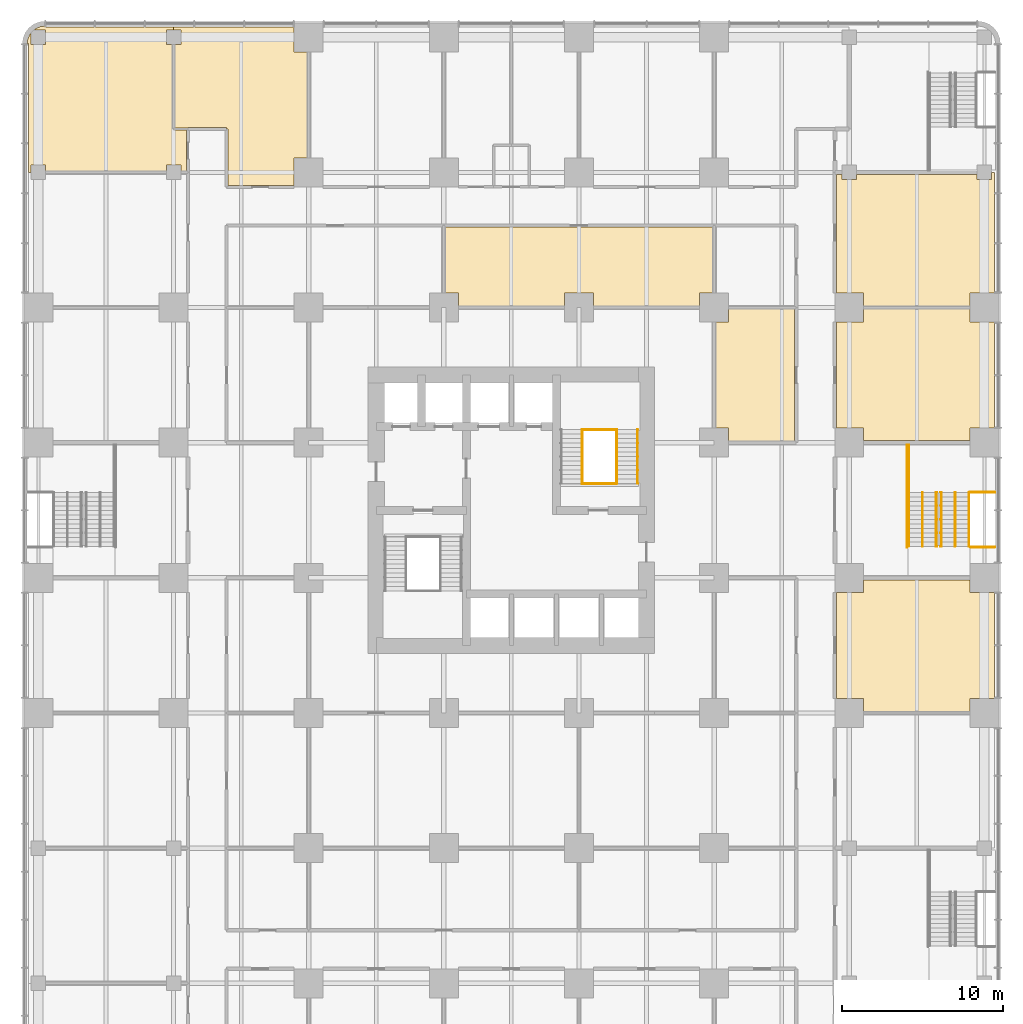
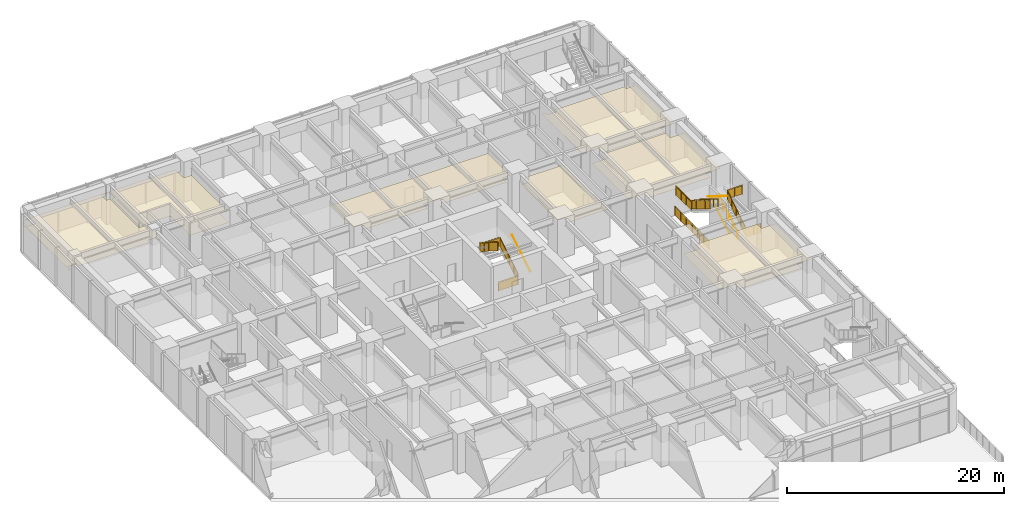
# One storey, part 19 of 20: 15 railings, 7 coverings.
"""IFC4 building model written with IfcOpenShell, lengths in metres."""

import ifcopenshell
import ifcopenshell.guid

model = None  # the IFC model being written
_history = None  # IfcOwnerHistory: only IFC2X3 demands one
_inside = {}  # id of a spatial element -> (the spatial element, [elements in it])
_under = {}  # id of a project, library or spatial element -> (it, [spatial elements below it])
_declared = {}  # id of a project -> (the project, [libraries it declares])
_typed = {}  # id of a type object -> (the type object, [elements of that type])
_made_of = {}  # id of a material, layer set ... -> (it, [elements and type objects made of it])


def new_model(schema):
    """Start an empty IFC model of exactly this schema.

    Asked for "IFC4X3", IfcOpenShell would pick the latest addendum, in which some entities
    have other attributes; the version numbers below select the first issue.
    IFC2X3 requires an IfcOwnerHistory on every rooted entity: one is made here for all.
    """
    global model, _history
    if schema == "IFC4X3":
        model = ifcopenshell.file(schema_version=(4, 3, 0, 0))
    else:
        model = ifcopenshell.file(schema=schema)
    _inside.clear()
    _under.clear()
    _declared.clear()
    _typed.clear()
    _made_of.clear()
    _history = None
    if model.schema == "IFC2X3":
        org = make("IfcOrganization", Name="unknown")
        user = make(
            "IfcPersonAndOrganization",
            ThePerson=make("IfcPerson", FamilyName="unknown"),
            TheOrganization=org,
        )
        app = make(
            "IfcApplication",
            ApplicationDeveloper=org,
            Version="unknown",
            ApplicationFullName="unknown",
            ApplicationIdentifier="unknown",
        )
        _history = make(
            "IfcOwnerHistory",
            OwningUser=user,
            OwningApplication=app,
            ChangeAction="ADDED",
            CreationDate=0,
        )
    return model


def make(cls, **values):
    """One entity of the class cls with the attributes given. An attribute that is None is left unset."""
    return model.create_entity(
        cls, **{name: value for name, value in values.items() if value is not None}
    )


def rooted(cls, **values):
    """An entity with a GlobalId (a new one), such as an element, a storey or a relation."""
    return make(cls, GlobalId=ifcopenshell.guid.new(), OwnerHistory=_history, **values)


def si_unit(unit_type, name, prefix=None):
    """IfcSIUnit, for example si_unit("LENGTHUNIT", "METRE", prefix="MILLI")."""
    return make("IfcSIUnit", UnitType=unit_type, Prefix=prefix, Name=name)


def assignment(units):
    """IfcUnitAssignment: the units of a project."""
    return None if units is None else make("IfcUnitAssignment", Units=units)


def point(xyz):
    """IfcCartesianPoint."""
    return None if xyz is None else make("IfcCartesianPoint", Coordinates=xyz)


def direction(xyz):
    """IfcDirection."""
    return None if xyz is None else make("IfcDirection", DirectionRatios=xyz)


def frame(location, z_axis=None, x_axis=None):
    """IfcAxis2Placement3D, a coordinate frame: its origin and axes. An axis left out is left unset."""
    return make(
        "IfcAxis2Placement3D",
        Location=point(location),
        Axis=direction(z_axis),
        RefDirection=direction(x_axis),
    )


def frame_2d(location, x_axis=None):
    """IfcAxis2Placement2D, a coordinate frame in the plane: its origin and x axis."""
    return make(
        "IfcAxis2Placement2D", Location=point(location), RefDirection=direction(x_axis)
    )


def origin():
    """The frame at (0, 0, 0) with its axes left unset."""
    return frame((0.0, 0.0, 0.0))


def origin_2d():
    """The frame at (0, 0) in the plane with its x axis left unset."""
    return frame_2d((0.0, 0.0))


def place(relative_to, where):
    """IfcLocalPlacement: puts the frame where relative to a parent placement (None: the world)."""
    return make(
        "IfcLocalPlacement", PlacementRelTo=relative_to, RelativePlacement=where
    )


def context(
    kind, dimensions, precision=None, world=None, true_north=None, identifier=None
):
    """IfcGeometricRepresentationContext, for example the 3D "Model" context."""
    return make(
        "IfcGeometricRepresentationContext",
        ContextIdentifier=identifier,
        ContextType=kind,
        CoordinateSpaceDimension=dimensions,
        Precision=precision,
        WorldCoordinateSystem=world,
        TrueNorth=true_north,
    )


def subcontext(parent, identifier, kind, view, scale=None):
    """IfcGeometricRepresentationSubContext, for example "Body" below "Model"."""
    return make(
        "IfcGeometricRepresentationSubContext",
        ContextIdentifier=identifier,
        ContextType=kind,
        ParentContext=parent,
        TargetScale=scale,
        TargetView=view,
    )


def project(units=None, contexts=None):
    """IfcProject with its units and contexts."""
    return rooted(
        "IfcProject",
        Name="project",
        RepresentationContexts=contexts,
        UnitsInContext=assignment(units),
    )


def spatial(cls, under=None, at=None, **own):
    """A site, building, storey or space (cls), placed at a placement, below another one or the project."""
    s = rooted(cls, ObjectPlacement=at, **own)
    if under is not None:
        _under.setdefault(under.id(), (under, []))[1].append(s)
    return s


def polyline(points):
    """IfcPolyline through the points."""
    return make("IfcPolyline", Points=[point(p) for p in points])


def profile(cls, at=None, kind="AREA", **sizes):
    """A parametric profile (cls). Its sizes go by their IFC names, for example OverallWidth=200.0."""
    return make(cls, ProfileType=kind, Position=at, **sizes)


def circle(**sizes):
    """IfcCircleProfileDef."""
    return profile("IfcCircleProfileDef", **sizes)


def outline(outer, holes=None, kind="AREA"):
    """IfcArbitraryClosedProfileDef: a profile drawn as a closed curve; with holes, ...WithVoids."""
    if holes is None:
        return make("IfcArbitraryClosedProfileDef", ProfileType=kind, OuterCurve=outer)
    return make(
        "IfcArbitraryProfileDefWithVoids",
        ProfileType=kind,
        OuterCurve=outer,
        InnerCurves=holes,
    )


def extrude(swept, where, along, depth):
    """IfcExtrudedAreaSolid: the profile swept, set in the frame where, extruded along a direction by depth."""
    return make(
        "IfcExtrudedAreaSolid",
        SweptArea=swept,
        Position=where,
        ExtrudedDirection=direction(along),
        Depth=depth,
    )


def shape(context_of_items, identifier, shape_type, items):
    """IfcShapeRepresentation: the items that make up one representation, for example the "Body"."""
    return make(
        "IfcShapeRepresentation",
        ContextOfItems=context_of_items,
        RepresentationIdentifier=identifier,
        RepresentationType=shape_type,
        Items=items,
    )


def material(Name=None, Category=None):
    """IfcMaterial."""
    return make("IfcMaterial", Name=Name, Category=Category)


def layer(
    of_material, thickness, ventilated=None, Name=None, Category=None, Priority=None
):
    """IfcMaterialLayer: one layer of a wall or slab, of a material (None: an air gap)."""
    return make(
        "IfcMaterialLayer",
        Material=of_material,
        LayerThickness=thickness,
        IsVentilated=ventilated,
        Name=Name,
        Category=Category,
        Priority=Priority,
    )


def layer_set(layers, Name=None):
    """IfcMaterialLayerSet."""
    return make("IfcMaterialLayerSet", MaterialLayers=layers, LayerSetName=Name)


def made_of(thing, what):
    """Note that an element or type object is made of a material, layer set ...; save() writes the relation."""
    if what is not None:
        _made_of.setdefault(what.id(), (what, []))[1].append(thing)
    return thing


def type_object(cls, material=None, **own):
    """A type object (cls), such as IfcWallType, which elements share."""
    return made_of(rooted(cls, **own), material)


def element(
    cls,
    number,
    at=None,
    inside=None,
    cuts=None,
    type_object=None,
    material=None,
    context=None,
    identifier="Body",
    shape_type=None,
    held_by="IfcProductDefinitionShape",
    body=None,
    shapes=None,
    **own,
):
    """One element of the class cls, such as IfcWall. Its Tag is "e" and its number.

    at: its placement. inside: the storey or other place that contains it. cuts: it is an
    opening in that element (IfcRelVoidsElement). A single representation is given by context,
    identifier, shape_type and body (its items); several are given by shapes. held_by: the class
    of the entity that holds the representations. save() writes the other relations.
    """
    e = rooted(cls, Tag="e%d" % number, ObjectPlacement=at, **own)
    if body is not None:
        shapes = [shape(context, identifier, shape_type, body)]
    if shapes is not None:
        e.Representation = make(held_by, Representations=shapes)
    if inside is not None:
        _inside.setdefault(inside.id(), (inside, []))[1].append(e)
    if cuts is not None:
        rooted(
            "IfcRelVoidsElement", RelatingBuildingElement=cuts, RelatedOpeningElement=e
        )
    if type_object is not None:
        _typed.setdefault(type_object.id(), (type_object, []))[1].append(e)
    return made_of(e, material)


def aggregate(whole, parts):
    """IfcRelAggregates: a whole, such as a stair, and the parts it consists of."""
    return rooted("IfcRelAggregates", RelatingObject=whole, RelatedObjects=parts)


def save(model, path):
    """Write the relations noted so far, then the file.

    IfcRelAggregates (storeys below a building ...), IfcRelContainedInSpatialStructure (elements
    in a storey), IfcRelDefinesByType, IfcRelAssociatesMaterial and IfcRelDeclares: one each for
    every whole, place, type object, material and project.
    """
    for whole, parts in _under.values():
        aggregate(whole, parts)
    for where, things in _inside.values():
        rooted(
            "IfcRelContainedInSpatialStructure",
            RelatedElements=things,
            RelatingStructure=where,
        )
    for kind, things in _typed.values():
        rooted("IfcRelDefinesByType", RelatedObjects=things, RelatingType=kind)
    for what, things in _made_of.values():
        rooted("IfcRelAssociatesMaterial", RelatedObjects=things, RelatingMaterial=what)
    for by, libraries in _declared.values():
        rooted("IfcRelDeclares", RelatingContext=by, RelatedDefinitions=libraries)
    model.write(path)


model = new_model("IFC4")

# Units and contexts
model_context = context("Model", 3, precision=1e-05, world=origin(), true_north=direction((0.0, 1.0)))
body_context = subcontext(model_context, "Body", "Model", "MODEL_VIEW")
ifc_project = project(units=[si_unit("LENGTHUNIT", "METRE"), si_unit("AREAUNIT", "SQUARE_METRE"), si_unit("VOLUMEUNIT", "CUBIC_METRE"), si_unit("PLANEANGLEUNIT", "RADIAN"), si_unit("MASSUNIT", "GRAM", prefix="KILO")], contexts=[model_context])

# Site, building, storey
site_placement = place(None, origin())
site = spatial("IfcSite", under=ifc_project, at=site_placement, CompositionType="ELEMENT")
building_placement = place(site_placement, origin())
building = spatial("IfcBuilding", under=site, at=building_placement, Name="Torre Alcanfor", CompositionType="ELEMENT")
storey_placement = place(building_placement, frame((0.0, 0.0, 10.5)))
storey = spatial("IfcBuildingStorey", under=building, at=storey_placement, Name="L02", CompositionType="ELEMENT", Elevation=10.5)

# Coverings
ifc_material_1 = material(Name="Mineral fibre acoustic tile 20 mm, NRC 0.70, on exposed suspension grid", Category="mineral fibre")
ifc_layer = layer(ifc_material_1, 0.02001953125)
ifc_layer_set = layer_set([ifc_layer], Name="Acoustic suspended ceiling 600x600 mineral fibre tile")
covering_type = type_object("IfcCoveringType", Name="Acoustic suspended ceiling 600x600 mineral fibre tile", PredefinedType="CEILING", material=ifc_layer_set)
covering_1_placement = place(storey_placement, frame((0.0, 0.0, 2.75)))
element("IfcCovering", 1, at=covering_1_placement, inside=storey, type_object=covering_type, Name="Ceiling L02-13", PredefinedType="CEILING", context=body_context, shape_type="SweptSolid", body=[
    extrude(outline(polyline([(57.89990234375, 16.875), (57.89990234375, 17.699951171875), (59.425048828125, 17.699951171875), (59.425048828125, 24.300048828125), (57.89990234375, 24.300048828125), (57.89990234375, 25.074951171875), (51.300048828125, 25.074951171875), (51.300048828125, 24.300048828125), (49.60009765625, 24.300048828125), (49.60009765625, 17.699951171875), (51.300048828125, 17.699951171875), (51.300048828125, 16.875), (57.89990234375, 16.875)])), origin(), (0.0, 0.0, 1.0), 0.02001953125),
])
covering_2_placement = place(storey_placement, frame((0.0, 0.0, 2.75)))
element("IfcCovering", 2, at=covering_2_placement, inside=storey, type_object=covering_type, Name="Ceiling L02-15", PredefinedType="CEILING", context=body_context, shape_type="SweptSolid", body=[
    extrude(outline(polyline([(57.89990234375, 33.72509765625), (57.89990234375, 34.5), (59.425048828125, 34.5), (59.425048828125, 41.10009765625), (57.89990234375, 41.10009765625), (57.89990234375, 41.925048828125), (51.300048828125, 41.925048828125), (51.300048828125, 41.10009765625), (49.60009765625, 41.10009765625), (49.60009765625, 34.5), (51.300048828125, 34.5), (51.300048828125, 33.72509765625), (57.89990234375, 33.72509765625)])), origin(), (0.0, 0.0, 1.0), 0.02001953125),
])
covering_3_placement = place(storey_placement, frame((0.0, 0.0, 2.75)))
element("IfcCovering", 3, at=covering_3_placement, inside=storey, type_object=covering_type, Name="Ceiling L02-17", PredefinedType="CEILING", context=body_context, shape_type="SweptSolid", body=[
    extrude(outline(polyline([(57.89990234375, 42.074951171875), (57.89990234375, 42.89990234375), (59.425048828125, 42.89990234375), (59.425048828125, 50.39990234375), (59.25, 50.39990234375), (59.25, 49.949951171875), (58.35009765625, 49.949951171875), (58.35009765625, 50.27490234375), (50.85009765625, 50.27490234375), (50.85009765625, 49.949951171875), (49.949951171875, 49.949951171875), (49.949951171875, 50.27490234375), (49.60009765625, 50.27490234375), (49.60009765625, 42.89990234375), (51.300048828125, 42.89990234375), (51.300048828125, 42.074951171875), (57.89990234375, 42.074951171875)])), origin(), (0.0, 0.0, 1.0), 0.02001953125),
])
covering_4_placement = place(storey_placement, frame((0.0, 0.0, 2.75)))
element("IfcCovering", 4, at=covering_4_placement, inside=storey, type_object=covering_type, Name="Ceiling L02-20", PredefinedType="CEILING", context=body_context, shape_type="SweptSolid", body=[
    extrude(outline(polyline([(-0.449951171875, 59.079345703125), (-0.55029296875, 58.94873046875), (-0.659912109375, 58.68408203125), (-0.697509765625, 58.39990234375), (-0.625, 58.39990234375), (-0.625, 50.39990234375), (-0.449951171875, 50.39990234375), (-0.449951171875, 50.85009765625), (0.449951171875, 50.85009765625), (0.449951171875, 50.47509765625), (7.949951171875, 50.47509765625), (7.949951171875, 50.85009765625), (8.85009765625, 50.85009765625), (8.85009765625, 50.47509765625), (9.199951171875, 50.47509765625), (9.199951171875, 53.02490234375), (8.39990234375, 53.02490234375), (8.39990234375, 53.10009765625), (8.324951171875, 53.10009765625), (8.324951171875, 58.35009765625), (7.949951171875, 58.35009765625), (7.949951171875, 59.25), (8.39990234375, 59.25), (8.39990234375, 59.425048828125), (0.39990234375, 59.425048828125), (0.39990234375, 59.497314453125), (0.115966796875, 59.4599609375), (-0.148681640625, 59.350341796875), (-0.279296875, 59.25), (0.449951171875, 59.25), (0.449951171875, 58.35009765625), (-0.449951171875, 58.35009765625), (-0.449951171875, 59.079345703125)])), origin(), (0.0, 0.0, 1.0), 0.02001953125),
])
covering_5_placement = place(storey_placement, frame((0.0, 0.0, 2.75)))
element("IfcCovering", 5, at=covering_5_placement, inside=storey, type_object=covering_type, Name="Ceiling L02-22", PredefinedType="CEILING", context=body_context, shape_type="SweptSolid", body=[
    extrude(outline(polyline([(8.39990234375, 59.25), (8.85009765625, 59.25), (8.85009765625, 58.35009765625), (8.47509765625, 58.35009765625), (8.47509765625, 53.175048828125), (9.300048828125, 53.175048828125), (9.300048828125, 53.199951171875), (11.699951171875, 53.199951171875), (11.699951171875, 53.10009765625), (11.800048828125, 53.10009765625), (11.800048828125, 49.60009765625), (15.89990234375, 49.60009765625), (15.89990234375, 51.300048828125), (16.72509765625, 51.300048828125), (16.72509765625, 57.89990234375), (15.89990234375, 57.89990234375), (15.89990234375, 59.425048828125), (8.39990234375, 59.425048828125), (8.39990234375, 59.25)])), origin(), (0.0, 0.0, 1.0), 0.02001953125),
])
covering_6_placement = place(storey_placement, frame((0.0, 0.0, 3.0)))
element("IfcCovering", 6, at=covering_6_placement, inside=storey, type_object=covering_type, Name="Ceiling L02-I10", PredefinedType="CEILING", context=body_context, shape_type="SweptSolid", body=[
    extrude(outline(polyline([(42.10009765625, 34.5), (42.89990234375, 34.5), (42.89990234375, 33.699951171875), (47.0, 33.699951171875), (47.0, 41.925048828125), (42.89990234375, 41.925048828125), (42.89990234375, 41.10009765625), (42.10009765625, 41.10009765625), (42.10009765625, 34.5)])), origin(), (0.0, 0.0, 1.0), 0.02001953125),
])
covering_7_placement = place(storey_placement, frame((0.0, 0.0, 3.0)))
element("IfcCovering", 7, at=covering_7_placement, inside=storey, type_object=covering_type, Name="Ceiling L02-I12", PredefinedType="CEILING", context=body_context, shape_type="SweptSolid", body=[
    extrude(outline(polyline([(41.10009765625, 42.10009765625), (41.10009765625, 42.89990234375), (41.925048828125, 42.89990234375), (41.925048828125, 47.0), (25.27490234375, 47.0), (25.27490234375, 42.89990234375), (26.10009765625, 42.89990234375), (26.10009765625, 42.10009765625), (32.699951171875, 42.10009765625), (32.699951171875, 42.89990234375), (34.5, 42.89990234375), (34.5, 42.10009765625), (41.10009765625, 42.10009765625)])), origin(), (0.0, 0.0, 1.0), 0.02001953125),
])

# Railings
ifc_material_2 = material(Name="Steel ASTM A500 Grade C hollow sections", Category="steel")
railing_type_1 = type_object("IfcRailingType", Name="Stair guard and handrail 1100", PredefinedType="GUARDRAIL", material=ifc_material_2)
railing_1_placement = place(storey_placement, frame((35.949951171875, 31.050048828125, 0.173095703125)))
element("IfcRailing", 8, at=railing_1_placement, inside=storey, type_object=railing_type_1, Name="Stair guard S2 L02 flight 1", PredefinedType="GUARDRAIL", context=body_context, shape_type="SweptSolid", body=[
    extrude(circle(Radius=0.02392578125, at=origin_2d()), frame((0.0, 0.0, 1.076171875), z_axis=(0.0, 0.850606129759, 0.525803396734), x_axis=(-1.0, 0.0, 0.0)), (0.0, 0.0, 1.0), 3.949951171875),
    extrude(circle(Radius=0.02099609375, at=origin_2d()), origin(), (0.0, 0.0, 1.0), 1.052001953125),
    extrude(circle(Radius=0.02099609375, at=origin_2d()), frame((0.0, 0.83984375, 0.519287109375)), (0.0, 0.0, 1.0), 1.052001953125),
    extrude(circle(Radius=0.02099609375, at=origin_2d()), frame((0.0, 1.679931640625, 1.03857421875)), (0.0, 0.0, 1.0), 1.052001953125),
    extrude(circle(Radius=0.02099609375, at=origin_2d()), frame((0.0, 2.52001953125, 1.5576171875)), (0.0, 0.0, 1.0), 1.052001953125),
    extrude(circle(Radius=0.02099609375, at=origin_2d()), frame((0.0, 3.35986328125, 2.076904296875)), (0.0, 0.0, 1.0), 1.052001953125),
    extrude(outline(polyline([(0.041015625, 0.075439453125), (0.799072265625, 0.5439453125), (0.799072265625, 1.495849609375), (0.041015625, 1.02734375), (0.041015625, 0.075439453125)])), frame((-0.005859375, 0.0, 0.0), z_axis=(1.0, 0.0, 0.0), x_axis=(0.0, 1.0, 0.0)), (0.0, 0.0, 1.0), 0.011962890625),
    extrude(outline(polyline([(0.880859375, 0.594482421875), (1.638916015625, 1.06298828125), (1.638916015625, 2.01513671875), (0.880859375, 1.546630859375), (0.880859375, 0.594482421875)])), frame((-0.005859375, 0.0, 0.0), z_axis=(1.0, 0.0, 0.0), x_axis=(0.0, 1.0, 0.0)), (0.0, 0.0, 1.0), 0.011962890625),
    extrude(outline(polyline([(1.720947265625, 1.11376953125), (2.47900390625, 1.582275390625), (2.47900390625, 2.534423828125), (1.720947265625, 2.06591796875), (1.720947265625, 1.11376953125)])), frame((-0.005859375, 0.0, 0.0), z_axis=(1.0, 0.0, 0.0), x_axis=(0.0, 1.0, 0.0)), (0.0, 0.0, 1.0), 0.011962890625),
    extrude(outline(polyline([(2.560791015625, 1.633056640625), (3.31884765625, 2.1015625), (3.31884765625, 3.053466796875), (2.560791015625, 2.5849609375), (2.560791015625, 1.633056640625)])), frame((-0.005859375, 0.0, 0.0), z_axis=(1.0, 0.0, 0.0), x_axis=(0.0, 1.0, 0.0)), (0.0, 0.0, 1.0), 0.011962890625),
])
railing_2_placement = place(storey_placement, frame((33.800048828125, 34.409912109375, 2.423095703125)))
element("IfcRailing", 9, at=railing_2_placement, inside=storey, type_object=railing_type_1, Name="Stair guard S2 L02 flight 2", PredefinedType="GUARDRAIL", context=body_context, shape_type="SweptSolid", body=[
    extrude(circle(Radius=0.02392578125, at=origin_2d()), frame((0.0, 0.0, 1.076171875), z_axis=(0.0, -0.850606129759, 0.525803396734), x_axis=(1.0, 0.0, 0.0)), (0.0, 0.0, 1.0), 3.949951171875),
    extrude(circle(Radius=0.02099609375, at=origin_2d()), origin(), (0.0, 0.0, 1.0), 1.052001953125),
    extrude(circle(Radius=0.02099609375, at=origin_2d()), frame((0.0, -0.83984375, 0.519287109375)), (0.0, 0.0, 1.0), 1.052001953125),
    extrude(circle(Radius=0.02099609375, at=origin_2d()), frame((0.0, -1.679931640625, 1.03857421875)), (0.0, 0.0, 1.0), 1.052001953125),
    extrude(circle(Radius=0.02099609375, at=origin_2d()), frame((0.0, -2.52001953125, 1.5576171875)), (0.0, 0.0, 1.0), 1.052001953125),
    extrude(circle(Radius=0.02099609375, at=origin_2d()), frame((0.0, -3.35986328125, 2.076904296875)), (0.0, 0.0, 1.0), 1.052001953125),
    extrude(outline(polyline([(0.041015625, 0.075439453125), (0.799072265625, 0.5439453125), (0.799072265625, 1.495849609375), (0.041015625, 1.02734375), (0.041015625, 0.075439453125)])), frame((0.005859375, 0.0, 0.0), z_axis=(-1.0, 0.0, 0.0), x_axis=(0.0, -1.0, 0.0)), (0.0, 0.0, 1.0), 0.011962890625),
    extrude(outline(polyline([(0.880859375, 0.594482421875), (1.638916015625, 1.06298828125), (1.638916015625, 2.01513671875), (0.880859375, 1.546630859375), (0.880859375, 0.594482421875)])), frame((0.005859375, 0.0, 0.0), z_axis=(-1.0, 0.0, 0.0), x_axis=(0.0, -1.0, 0.0)), (0.0, 0.0, 1.0), 0.011962890625),
    extrude(outline(polyline([(1.720947265625, 1.11376953125), (2.47900390625, 1.582275390625), (2.47900390625, 2.534423828125), (1.720947265625, 2.06591796875), (1.720947265625, 1.11376953125)])), frame((0.005859375, 0.0, 0.0), z_axis=(-1.0, 0.0, 0.0), x_axis=(0.0, -1.0, 0.0)), (0.0, 0.0, 1.0), 0.011962890625),
    extrude(outline(polyline([(2.560791015625, 1.633056640625), (3.31884765625, 2.1015625), (3.31884765625, 3.053466796875), (2.560791015625, 2.5849609375), (2.560791015625, 1.633056640625)])), frame((0.005859375, 0.0, 0.0), z_axis=(-1.0, 0.0, 0.0), x_axis=(0.0, -1.0, 0.0)), (0.0, 0.0, 1.0), 0.011962890625),
])
for number, where, name in (
    (10, (33.800048828125, 31.050048828125, 0.0), "Stair well guard S2 L02 floor landing"),
    (11, (33.800048828125, 34.409912109375, 2.25), "Stair well guard S2 L02 half landing"),
):
    element("IfcRailing", number, at=place(storey_placement, frame(where)), inside=storey, type_object=railing_type_1, Name=name, PredefinedType="GUARDRAIL", context=body_context, shape_type="SweptSolid", body=[
        extrude(circle(Radius=0.02392578125, at=origin_2d()), frame((0.0, 0.0, 1.076171875), z_axis=(1.0, 0.0, 0.0), x_axis=(0.0, 1.0, 0.0)), (0.0, 0.0, 1.0), 2.14990234375),
        extrude(circle(Radius=0.02099609375, at=origin_2d()), origin(), (0.0, 0.0, 1.0), 1.052001953125),
        extrude(circle(Radius=0.02099609375, at=origin_2d()), frame((1.074951171875, 0.0, 0.0)), (0.0, 0.0, 1.0), 1.052001953125),
        extrude(circle(Radius=0.02099609375, at=origin_2d()), frame((2.14990234375, 0.0, 0.0)), (0.0, 0.0, 1.0), 1.052001953125),
        extrude(outline(polyline([(0.041015625, 0.050048828125), (1.033935546875, 0.050048828125), (1.033935546875, 1.001953125), (0.041015625, 1.001953125), (0.041015625, 0.050048828125)])), frame((0.0, 0.005859375, 0.0), z_axis=(0.0, -1.0, 0.0), x_axis=(1.0, 0.0, 0.0)), (0.0, 0.0, 1.0), 0.011962890625),
        extrude(outline(polyline([(1.115966796875, 0.050048828125), (2.10888671875, 0.050048828125), (2.10888671875, 1.001953125), (1.115966796875, 1.001953125), (1.115966796875, 0.050048828125)])), frame((0.0, 0.005859375, 0.0), z_axis=(0.0, -1.0, 0.0), x_axis=(1.0, 0.0, 0.0)), (0.0, 0.0, 1.0), 0.011962890625),
    ])
railing_3_placement = place(storey_placement, frame((53.989990234375, 27.10498046875, 0.0)))
element("IfcRailing", 12, at=railing_3_placement, inside=storey, type_object=railing_type_1, Name="Stair well guard SS2 L02 door side", PredefinedType="GUARDRAIL", context=body_context, shape_type="SweptSolid", body=[
    extrude(circle(Radius=0.02392578125, at=origin_2d()), frame((0.0, 0.0, 1.076171875), z_axis=(0.0, 1.0, 0.0), x_axis=(-1.0, 0.0, 0.0)), (0.0, 0.0, 1.0), 6.360107421875),
    extrude(circle(Radius=0.02099609375, at=origin_2d()), origin(), (0.0, 0.0, 1.0), 1.052001953125),
    extrude(circle(Radius=0.02099609375, at=origin_2d()), frame((0.0, 1.06005859375, 0.0)), (0.0, 0.0, 1.0), 1.052001953125),
    extrude(circle(Radius=0.02099609375, at=origin_2d()), frame((0.0, 2.1201171875, 0.0)), (0.0, 0.0, 1.0), 1.052001953125),
    extrude(circle(Radius=0.02099609375, at=origin_2d()), frame((0.0, 3.18017578125, 0.0)), (0.0, 0.0, 1.0), 1.052001953125),
    extrude(circle(Radius=0.02099609375, at=origin_2d()), frame((0.0, 4.239990234375, 0.0)), (0.0, 0.0, 1.0), 1.052001953125),
    extrude(circle(Radius=0.02099609375, at=origin_2d()), frame((0.0, 5.300048828125, 0.0)), (0.0, 0.0, 1.0), 1.052001953125),
    extrude(circle(Radius=0.02099609375, at=origin_2d()), frame((0.0, 6.360107421875, 0.0)), (0.0, 0.0, 1.0), 1.052001953125),
    extrude(outline(polyline([(0.041015625, 0.050048828125), (1.01904296875, 0.050048828125), (1.01904296875, 1.001953125), (0.041015625, 1.001953125), (0.041015625, 0.050048828125)])), frame((-0.005859375, 0.0, 0.0), z_axis=(1.0, 0.0, 0.0), x_axis=(0.0, 1.0, 0.0)), (0.0, 0.0, 1.0), 0.011962890625),
    extrude(outline(polyline([(1.10107421875, 0.050048828125), (2.0791015625, 0.050048828125), (2.0791015625, 1.001953125), (1.10107421875, 1.001953125), (1.10107421875, 0.050048828125)])), frame((-0.005859375, 0.0, 0.0), z_axis=(1.0, 0.0, 0.0), x_axis=(0.0, 1.0, 0.0)), (0.0, 0.0, 1.0), 0.011962890625),
    extrude(outline(polyline([(2.1611328125, 0.050048828125), (3.13916015625, 0.050048828125), (3.13916015625, 1.001953125), (2.1611328125, 1.001953125), (2.1611328125, 0.050048828125)])), frame((-0.005859375, 0.0, 0.0), z_axis=(1.0, 0.0, 0.0), x_axis=(0.0, 1.0, 0.0)), (0.0, 0.0, 1.0), 0.011962890625),
    extrude(outline(polyline([(3.220947265625, 0.050048828125), (4.198974609375, 0.050048828125), (4.198974609375, 1.001953125), (3.220947265625, 1.001953125), (3.220947265625, 0.050048828125)])), frame((-0.005859375, 0.0, 0.0), z_axis=(1.0, 0.0, 0.0), x_axis=(0.0, 1.0, 0.0)), (0.0, 0.0, 1.0), 0.011962890625),
    extrude(outline(polyline([(4.281005859375, 0.050048828125), (5.259033203125, 0.050048828125), (5.259033203125, 1.001953125), (4.281005859375, 1.001953125), (4.281005859375, 0.050048828125)])), frame((-0.005859375, 0.0, 0.0), z_axis=(1.0, 0.0, 0.0), x_axis=(0.0, 1.0, 0.0)), (0.0, 0.0, 1.0), 0.011962890625),
    extrude(outline(polyline([(5.341064453125, 0.050048828125), (6.319091796875, 0.050048828125), (6.319091796875, 1.001953125), (5.341064453125, 1.001953125), (5.341064453125, 0.050048828125)])), frame((-0.005859375, 0.0, 0.0), z_axis=(1.0, 0.0, 0.0), x_axis=(0.0, 1.0, 0.0)), (0.0, 0.0, 1.0), 0.011962890625),
])
railing_4_placement = place(storey_placement, frame((59.449951171875, 27.10498046875, 0.0)))
element("IfcRailing", 13, at=railing_4_placement, inside=storey, type_object=railing_type_1, Name="Stair well guard SS2 L02 facade strip", PredefinedType="GUARDRAIL", context=body_context, shape_type="SweptSolid", body=[
    extrude(circle(Radius=0.02392578125, at=origin_2d()), frame((0.0, 0.0, 1.076171875), z_axis=(-1.0, 0.0, 0.0), x_axis=(0.0, -1.0, 0.0)), (0.0, 0.0, 1.0), 1.5),
    extrude(circle(Radius=0.02099609375, at=origin_2d()), origin(), (0.0, 0.0, 1.0), 1.052001953125),
    extrude(circle(Radius=0.02099609375, at=origin_2d()), frame((-0.75, 0.0, 0.0)), (0.0, 0.0, 1.0), 1.052001953125),
    extrude(circle(Radius=0.02099609375, at=origin_2d()), frame((-1.5, 0.0, 0.0)), (0.0, 0.0, 1.0), 1.052001953125),
    extrude(outline(polyline([(0.041015625, 0.050048828125), (0.708984375, 0.050048828125), (0.708984375, 1.001953125), (0.041015625, 1.001953125), (0.041015625, 0.050048828125)])), frame((0.0, -0.005859375, 0.0), z_axis=(0.0, 1.0, 0.0), x_axis=(-1.0, 0.0, 0.0)), (0.0, 0.0, 1.0), 0.011962890625),
    extrude(outline(polyline([(0.791015625, 0.050048828125), (1.458984375, 0.050048828125), (1.458984375, 1.001953125), (0.791015625, 1.001953125), (0.791015625, 0.050048828125)])), frame((0.0, -0.005859375, 0.0), z_axis=(0.0, 1.0, 0.0), x_axis=(-1.0, 0.0, 0.0)), (0.0, 0.0, 1.0), 0.011962890625),
])
railing_5_placement = place(storey_placement, frame((57.85009765625, 27.155029296875, 0.173095703125)))
element("IfcRailing", 14, at=railing_5_placement, inside=storey, type_object=railing_type_1, Name="Stair guard SS2 L02 flight 1", PredefinedType="GUARDRAIL", context=body_context, shape_type="SweptSolid", body=[
    extrude(circle(Radius=0.02392578125, at=origin_2d()), frame((0.0, 0.0, 1.076171875), z_axis=(0.0, 0.850606129759, 0.525803396734), x_axis=(-1.0, 0.0, 0.0)), (0.0, 0.0, 1.0), 3.949951171875),
    extrude(circle(Radius=0.02099609375, at=origin_2d()), origin(), (0.0, 0.0, 1.0), 1.052001953125),
    extrude(circle(Radius=0.02099609375, at=origin_2d()), frame((0.0, 0.83984375, 0.519287109375)), (0.0, 0.0, 1.0), 1.052001953125),
    extrude(circle(Radius=0.02099609375, at=origin_2d()), frame((0.0, 1.679931640625, 1.03857421875)), (0.0, 0.0, 1.0), 1.052001953125),
    extrude(circle(Radius=0.02099609375, at=origin_2d()), frame((0.0, 2.52001953125, 1.5576171875)), (0.0, 0.0, 1.0), 1.052001953125),
    extrude(circle(Radius=0.02099609375, at=origin_2d()), frame((0.0, 3.35986328125, 2.076904296875)), (0.0, 0.0, 1.0), 1.052001953125),
    extrude(outline(polyline([(0.041015625, 0.075439453125), (0.799072265625, 0.5439453125), (0.799072265625, 1.495849609375), (0.041015625, 1.02734375), (0.041015625, 0.075439453125)])), frame((-0.005859375, 0.0, 0.0), z_axis=(1.0, 0.0, 0.0), x_axis=(0.0, 1.0, 0.0)), (0.0, 0.0, 1.0), 0.011962890625),
    extrude(outline(polyline([(0.880859375, 0.594482421875), (1.638916015625, 1.06298828125), (1.638916015625, 2.01513671875), (0.880859375, 1.546630859375), (0.880859375, 0.594482421875)])), frame((-0.005859375, 0.0, 0.0), z_axis=(1.0, 0.0, 0.0), x_axis=(0.0, 1.0, 0.0)), (0.0, 0.0, 1.0), 0.011962890625),
    extrude(outline(polyline([(1.720947265625, 1.11376953125), (2.47900390625, 1.582275390625), (2.47900390625, 2.534423828125), (1.720947265625, 2.06591796875), (1.720947265625, 1.11376953125)])), frame((-0.005859375, 0.0, 0.0), z_axis=(1.0, 0.0, 0.0), x_axis=(0.0, 1.0, 0.0)), (0.0, 0.0, 1.0), 0.011962890625),
    extrude(outline(polyline([(2.560791015625, 1.633056640625), (3.31884765625, 2.1015625), (3.31884765625, 3.053466796875), (2.560791015625, 2.5849609375), (2.560791015625, 1.633056640625)])), frame((-0.005859375, 0.0, 0.0), z_axis=(1.0, 0.0, 0.0), x_axis=(0.0, 1.0, 0.0)), (0.0, 0.0, 1.0), 0.011962890625),
])
railing_6_placement = place(storey_placement, frame((54.090087890625, 30.514892578125, 2.423095703125)))
element("IfcRailing", 15, at=railing_6_placement, inside=storey, type_object=railing_type_1, Name="Stair guard SS2 L02 flight 2", PredefinedType="GUARDRAIL", context=body_context, shape_type="SweptSolid", body=[
    extrude(circle(Radius=0.02392578125, at=origin_2d()), frame((0.0, 0.0, 1.076171875), z_axis=(0.0, -0.850606129759, 0.525803396734), x_axis=(1.0, 0.0, 0.0)), (0.0, 0.0, 1.0), 3.949951171875),
    extrude(circle(Radius=0.02099609375, at=origin_2d()), origin(), (0.0, 0.0, 1.0), 1.052001953125),
    extrude(circle(Radius=0.02099609375, at=origin_2d()), frame((0.0, -0.83984375, 0.519287109375)), (0.0, 0.0, 1.0), 1.052001953125),
    extrude(circle(Radius=0.02099609375, at=origin_2d()), frame((0.0, -1.679931640625, 1.03857421875)), (0.0, 0.0, 1.0), 1.052001953125),
    extrude(circle(Radius=0.02099609375, at=origin_2d()), frame((0.0, -2.52001953125, 1.5576171875)), (0.0, 0.0, 1.0), 1.052001953125),
    extrude(circle(Radius=0.02099609375, at=origin_2d()), frame((0.0, -3.35986328125, 2.076904296875)), (0.0, 0.0, 1.0), 1.052001953125),
    extrude(outline(polyline([(0.041015625, 0.075439453125), (0.799072265625, 0.5439453125), (0.799072265625, 1.495849609375), (0.041015625, 1.02734375), (0.041015625, 0.075439453125)])), frame((0.005859375, 0.0, 0.0), z_axis=(-1.0, 0.0, 0.0), x_axis=(0.0, -1.0, 0.0)), (0.0, 0.0, 1.0), 0.011962890625),
    extrude(outline(polyline([(0.880859375, 0.594482421875), (1.638916015625, 1.06298828125), (1.638916015625, 2.01513671875), (0.880859375, 1.546630859375), (0.880859375, 0.594482421875)])), frame((0.005859375, 0.0, 0.0), z_axis=(-1.0, 0.0, 0.0), x_axis=(0.0, -1.0, 0.0)), (0.0, 0.0, 1.0), 0.011962890625),
    extrude(outline(polyline([(1.720947265625, 1.11376953125), (2.47900390625, 1.582275390625), (2.47900390625, 2.534423828125), (1.720947265625, 2.06591796875), (1.720947265625, 1.11376953125)])), frame((0.005859375, 0.0, 0.0), z_axis=(-1.0, 0.0, 0.0), x_axis=(0.0, -1.0, 0.0)), (0.0, 0.0, 1.0), 0.011962890625),
    extrude(outline(polyline([(2.560791015625, 1.633056640625), (3.31884765625, 2.1015625), (3.31884765625, 3.053466796875), (2.560791015625, 2.5849609375), (2.560791015625, 1.633056640625)])), frame((0.005859375, 0.0, 0.0), z_axis=(-1.0, 0.0, 0.0), x_axis=(0.0, -1.0, 0.0)), (0.0, 0.0, 1.0), 0.011962890625),
])
railing_7_placement = place(storey_placement, frame((59.449951171875, 30.514892578125, 2.25)))
element("IfcRailing", 16, at=railing_7_placement, inside=storey, type_object=railing_type_1, Name="Stair guard SS2 L02 half landing facade strip", PredefinedType="GUARDRAIL", context=body_context, shape_type="SweptSolid", body=[
    extrude(circle(Radius=0.02392578125, at=origin_2d()), frame((0.0, 0.0, 1.076171875), z_axis=(-1.0, 0.0, 0.0), x_axis=(0.0, -1.0, 0.0)), (0.0, 0.0, 1.0), 1.550048828125),
    extrude(circle(Radius=0.02099609375, at=origin_2d()), origin(), (0.0, 0.0, 1.0), 1.052001953125),
    extrude(circle(Radius=0.02099609375, at=origin_2d()), frame((-0.77490234375, 0.0, 0.0)), (0.0, 0.0, 1.0), 1.052001953125),
    extrude(circle(Radius=0.02099609375, at=origin_2d()), frame((-1.550048828125, 0.0, 0.0)), (0.0, 0.0, 1.0), 1.052001953125),
    extrude(outline(polyline([(0.041015625, 0.050048828125), (0.734130859375, 0.050048828125), (0.734130859375, 1.001953125), (0.041015625, 1.001953125), (0.041015625, 0.050048828125)])), frame((0.0, -0.005859375, 0.0), z_axis=(0.0, 1.0, 0.0), x_axis=(-1.0, 0.0, 0.0)), (0.0, 0.0, 1.0), 0.011962890625),
    extrude(outline(polyline([(0.81591796875, 0.050048828125), (1.509033203125, 0.050048828125), (1.509033203125, 1.001953125), (0.81591796875, 1.001953125), (0.81591796875, 0.050048828125)])), frame((0.0, -0.005859375, 0.0), z_axis=(0.0, 1.0, 0.0), x_axis=(-1.0, 0.0, 0.0)), (0.0, 0.0, 1.0), 0.011962890625),
])
railing_8_placement = place(storey_placement, frame((54.090087890625, 30.514892578125, 2.25)))
element("IfcRailing", 17, at=railing_8_placement, inside=storey, type_object=railing_type_1, Name="Stair guard SS2 L02 half landing", PredefinedType="GUARDRAIL", context=body_context, shape_type="SweptSolid", body=[
    extrude(circle(Radius=0.02392578125, at=origin_2d()), frame((0.0, 0.0, 1.076171875), z_axis=(0.0, 1.0, 0.0), x_axis=(-1.0, 0.0, 0.0)), (0.0, 0.0, 1.0), 2.9501953125),
    extrude(circle(Radius=0.02099609375, at=origin_2d()), origin(), (0.0, 0.0, 1.0), 1.052001953125),
    extrude(circle(Radius=0.02099609375, at=origin_2d()), frame((0.0, 0.9833984375, 0.0)), (0.0, 0.0, 1.0), 1.052001953125),
    extrude(circle(Radius=0.02099609375, at=origin_2d()), frame((0.0, 1.966796875, 0.0)), (0.0, 0.0, 1.0), 1.052001953125),
    extrude(circle(Radius=0.02099609375, at=origin_2d()), frame((0.0, 2.9501953125, 0.0)), (0.0, 0.0, 1.0), 1.052001953125),
    extrude(outline(polyline([(0.041015625, 0.050048828125), (0.9423828125, 0.050048828125), (0.9423828125, 1.001953125), (0.041015625, 1.001953125), (0.041015625, 0.050048828125)])), frame((-0.005859375, 0.0, 0.0), z_axis=(1.0, 0.0, 0.0), x_axis=(0.0, 1.0, 0.0)), (0.0, 0.0, 1.0), 0.011962890625),
    extrude(outline(polyline([(1.0244140625, 0.050048828125), (1.92578125, 0.050048828125), (1.92578125, 1.001953125), (1.0244140625, 1.001953125), (1.0244140625, 0.050048828125)])), frame((-0.005859375, 0.0, 0.0), z_axis=(1.0, 0.0, 0.0), x_axis=(0.0, 1.0, 0.0)), (0.0, 0.0, 1.0), 0.011962890625),
    extrude(outline(polyline([(2.0078125, 0.050048828125), (2.9091796875, 0.050048828125), (2.9091796875, 1.001953125), (2.0078125, 1.001953125), (2.0078125, 0.050048828125)])), frame((-0.005859375, 0.0, 0.0), z_axis=(1.0, 0.0, 0.0), x_axis=(0.0, 1.0, 0.0)), (0.0, 0.0, 1.0), 0.011962890625),
])
ifc_material_3 = material(Name="Steel ASTM A500 Grade C hollow sections", Category="steel")
railing_type_2 = type_object("IfcRailingType", Name="Stair intermediate handrail 900", PredefinedType="HANDRAIL", material=ifc_material_3)
railing_9_placement = place(storey_placement, frame((56.985107421875, 27.155029296875, 0.173095703125)))
element("IfcRailing", 18, at=railing_9_placement, inside=storey, type_object=railing_type_2, Name="Stair intermediate handrail SS2 L02 flight 1 rail 1", PredefinedType="HANDRAIL", context=body_context, shape_type="SweptSolid", body=[
    extrude(circle(Radius=0.02392578125, at=origin_2d()), frame((0.0, 0.0, 0.8759765625), z_axis=(0.0, 0.850606129759, 0.525803396734), x_axis=(-1.0, 0.0, 0.0)), (0.0, 0.0, 1.0), 3.949951171875),
    extrude(circle(Radius=0.02099609375, at=origin_2d()), origin(), (0.0, 0.0, 1.0), 0.851806640625),
    extrude(circle(Radius=0.02099609375, at=origin_2d()), frame((0.0, 0.83984375, 0.519287109375)), (0.0, 0.0, 1.0), 0.851806640625),
    extrude(circle(Radius=0.02099609375, at=origin_2d()), frame((0.0, 1.679931640625, 1.03857421875)), (0.0, 0.0, 1.0), 0.851806640625),
    extrude(circle(Radius=0.02099609375, at=origin_2d()), frame((0.0, 2.52001953125, 1.5576171875)), (0.0, 0.0, 1.0), 0.851806640625),
    extrude(circle(Radius=0.02099609375, at=origin_2d()), frame((0.0, 3.35986328125, 2.076904296875)), (0.0, 0.0, 1.0), 0.851806640625),
])
railing_10_placement = place(storey_placement, frame((54.955078125, 30.514892578125, 2.423095703125)))
element("IfcRailing", 19, at=railing_10_placement, inside=storey, type_object=railing_type_2, Name="Stair intermediate handrail SS2 L02 flight 2 rail 1", PredefinedType="HANDRAIL", context=body_context, shape_type="SweptSolid", body=[
    extrude(circle(Radius=0.02392578125, at=origin_2d()), frame((0.0, 0.0, 0.8759765625), z_axis=(0.0, -0.850606129759, 0.525803396734), x_axis=(1.0, 0.0, 0.0)), (0.0, 0.0, 1.0), 3.949951171875),
    extrude(circle(Radius=0.02099609375, at=origin_2d()), origin(), (0.0, 0.0, 1.0), 0.851806640625),
    extrude(circle(Radius=0.02099609375, at=origin_2d()), frame((0.0, -0.83984375, 0.519287109375)), (0.0, 0.0, 1.0), 0.851806640625),
    extrude(circle(Radius=0.02099609375, at=origin_2d()), frame((0.0, -1.679931640625, 1.03857421875)), (0.0, 0.0, 1.0), 0.851806640625),
    extrude(circle(Radius=0.02099609375, at=origin_2d()), frame((0.0, -2.52001953125, 1.5576171875)), (0.0, 0.0, 1.0), 0.851806640625),
    extrude(circle(Radius=0.02099609375, at=origin_2d()), frame((0.0, -3.35986328125, 2.076904296875)), (0.0, 0.0, 1.0), 0.851806640625),
])
ifc_material_4 = material(Name="Steel ASTM A500 Grade C hollow sections", Category="steel")
railing_type_3 = type_object("IfcRailingType", Name="Stair wall handrail 900", PredefinedType="HANDRAIL", material=ifc_material_4)
railing_11_placement = place(storey_placement, frame((37.235107421875, 31.050048828125, 0.173095703125)))
element("IfcRailing", 20, at=railing_11_placement, inside=storey, type_object=railing_type_3, Name="Stair handrail S2 L02 flight 1", PredefinedType="HANDRAIL", context=body_context, shape_type="SweptSolid", body=[
    extrude(circle(Radius=0.02392578125, at=origin_2d()), frame((0.0, 0.0, 0.8759765625), z_axis=(0.0, 0.850606129759, 0.525803396734), x_axis=(-1.0, 0.0, 0.0)), (0.0, 0.0, 1.0), 3.949951171875),
    extrude(circle(Radius=0.008056640625, at=origin_2d()), frame((0.0, 0.0, 0.8759765625), z_axis=(1.0, 0.0, 0.0), x_axis=(0.0, 0.0, 1.0)), (0.0, 0.0, 1.0), 0.06494140625),
    extrude(circle(Radius=0.008056640625, at=origin_2d()), frame((0.0, 0.83984375, 1.39501953125), z_axis=(1.0, 0.0, 0.0), x_axis=(0.0, 0.0, 1.0)), (0.0, 0.0, 1.0), 0.06494140625),
    extrude(circle(Radius=0.008056640625, at=origin_2d()), frame((0.0, 1.679931640625, 1.914306640625), z_axis=(1.0, 0.0, 0.0), x_axis=(0.0, 0.0, 1.0)), (0.0, 0.0, 1.0), 0.06494140625),
    extrude(circle(Radius=0.008056640625, at=origin_2d()), frame((0.0, 2.52001953125, 2.43359375), z_axis=(1.0, 0.0, 0.0), x_axis=(0.0, 0.0, 1.0)), (0.0, 0.0, 1.0), 0.06494140625),
    extrude(circle(Radius=0.008056640625, at=origin_2d()), frame((0.0, 3.35986328125, 2.95263671875), z_axis=(1.0, 0.0, 0.0), x_axis=(0.0, 0.0, 1.0)), (0.0, 0.0, 1.0), 0.06494140625),
])
railing_12_placement = place(storey_placement, frame((56.135009765625, 27.155029296875, 0.173095703125)))
element("IfcRailing", 21, at=railing_12_placement, inside=storey, type_object=railing_type_3, Name="Stair handrail SS2 L02 flight 1", PredefinedType="HANDRAIL", context=body_context, shape_type="SweptSolid", body=[
    extrude(circle(Radius=0.02392578125, at=origin_2d()), frame((0.0, 0.0, 0.8759765625), z_axis=(0.0, 0.850606129759, 0.525803396734), x_axis=(-1.0, 0.0, 0.0)), (0.0, 0.0, 1.0), 3.949951171875),
    extrude(circle(Radius=0.008056640625, at=origin_2d()), frame((0.0, 0.0, 0.8759765625), z_axis=(-1.0, 0.0, 0.0), x_axis=(0.0, 0.0, 1.0)), (0.0, 0.0, 1.0), 0.06494140625),
    extrude(circle(Radius=0.008056640625, at=origin_2d()), frame((0.0, 0.83984375, 1.39501953125), z_axis=(-1.0, 0.0, 0.0), x_axis=(0.0, 0.0, 1.0)), (0.0, 0.0, 1.0), 0.06494140625),
    extrude(circle(Radius=0.008056640625, at=origin_2d()), frame((0.0, 1.679931640625, 1.914306640625), z_axis=(-1.0, 0.0, 0.0), x_axis=(0.0, 0.0, 1.0)), (0.0, 0.0, 1.0), 0.06494140625),
    extrude(circle(Radius=0.008056640625, at=origin_2d()), frame((0.0, 2.52001953125, 2.43359375), z_axis=(-1.0, 0.0, 0.0), x_axis=(0.0, 0.0, 1.0)), (0.0, 0.0, 1.0), 0.06494140625),
    extrude(circle(Radius=0.008056640625, at=origin_2d()), frame((0.0, 3.35986328125, 2.95263671875), z_axis=(-1.0, 0.0, 0.0), x_axis=(0.0, 0.0, 1.0)), (0.0, 0.0, 1.0), 0.06494140625),
])
railing_13_placement = place(storey_placement, frame((55.804931640625, 30.514892578125, 2.423095703125)))
element("IfcRailing", 22, at=railing_13_placement, inside=storey, type_object=railing_type_3, Name="Stair handrail SS2 L02 flight 2", PredefinedType="HANDRAIL", context=body_context, shape_type="SweptSolid", body=[
    extrude(circle(Radius=0.02392578125, at=origin_2d()), frame((0.0, 0.0, 0.8759765625), z_axis=(0.0, -0.850606129759, 0.525803396734), x_axis=(1.0, 0.0, 0.0)), (0.0, 0.0, 1.0), 3.949951171875),
    extrude(circle(Radius=0.008056640625, at=origin_2d()), frame((0.0, 0.0, 0.8759765625), z_axis=(1.0, 0.0, 0.0), x_axis=(0.0, 0.0, 1.0)), (0.0, 0.0, 1.0), 0.06494140625),
    extrude(circle(Radius=0.008056640625, at=origin_2d()), frame((0.0, -0.83984375, 1.39501953125), z_axis=(1.0, 0.0, 0.0), x_axis=(0.0, 0.0, 1.0)), (0.0, 0.0, 1.0), 0.06494140625),
    extrude(circle(Radius=0.008056640625, at=origin_2d()), frame((0.0, -1.679931640625, 1.914306640625), z_axis=(1.0, 0.0, 0.0), x_axis=(0.0, 0.0, 1.0)), (0.0, 0.0, 1.0), 0.06494140625),
    extrude(circle(Radius=0.008056640625, at=origin_2d()), frame((0.0, -2.52001953125, 2.43359375), z_axis=(1.0, 0.0, 0.0), x_axis=(0.0, 0.0, 1.0)), (0.0, 0.0, 1.0), 0.06494140625),
    extrude(circle(Radius=0.008056640625, at=origin_2d()), frame((0.0, -3.35986328125, 2.95263671875), z_axis=(1.0, 0.0, 0.0), x_axis=(0.0, 0.0, 1.0)), (0.0, 0.0, 1.0), 0.06494140625),
])

save(model, "model.ifc")
